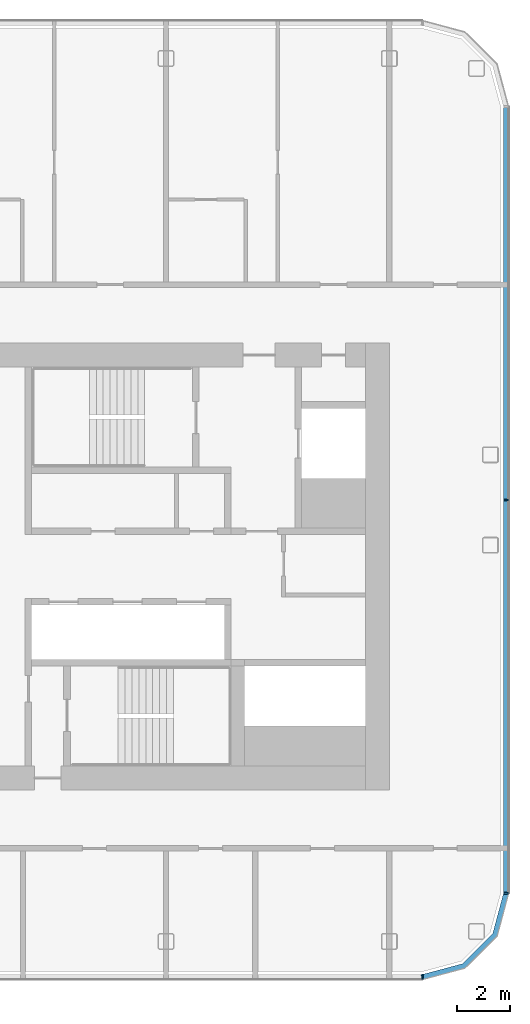
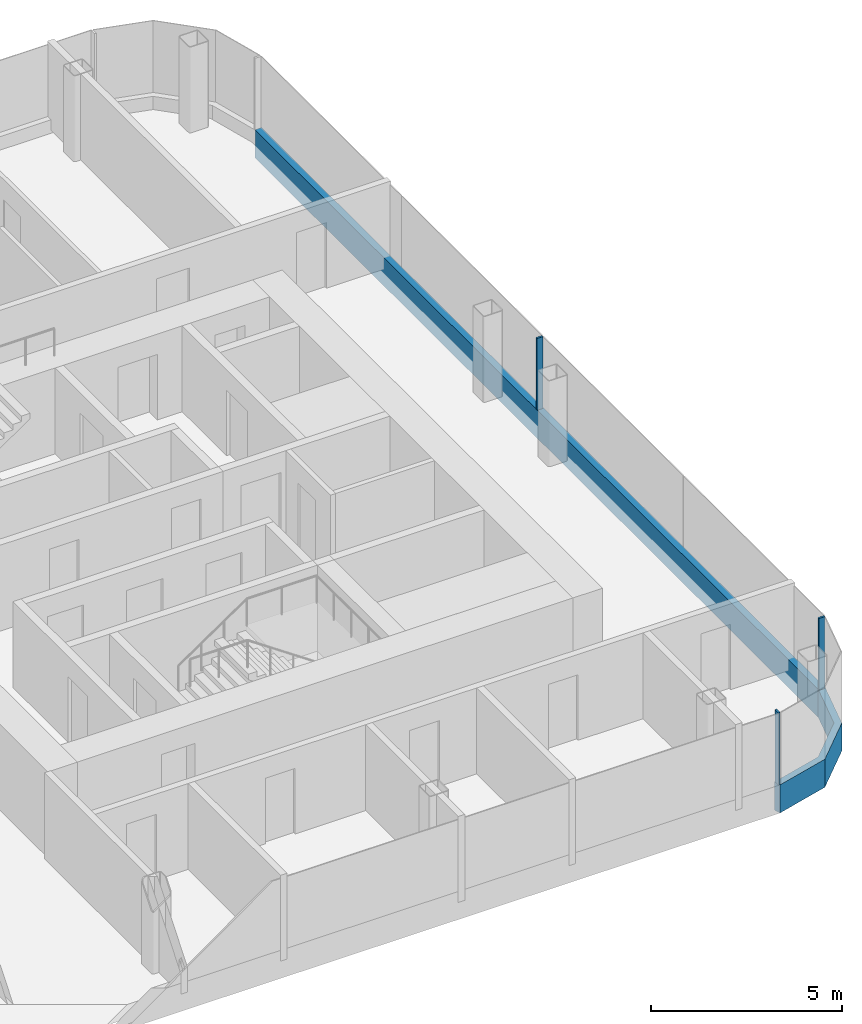
# One storey, part 10 of 26: 5 members, 3 elements without a shape of their own.
"""IFC4 building model written with IfcOpenShell, lengths in metres."""

from ifc_helpers import new_model, si_unit, direction, frame, origin, origin_2d, place, context, subcontext, project, spatial, polyline, rectangle, outline, extrude, material, layer, layer_set, material_profile, profile_set, type_object, element, aggregate, save


model = new_model("IFC4")

# Units and contexts
model_context = context("Model", 3, precision=1e-05, world=origin(), true_north=direction((0.0, 1.0)))
body_context = subcontext(model_context, "Body", "Model", "MODEL_VIEW")
ifc_project = project(units=[si_unit("LENGTHUNIT", "METRE"), si_unit("AREAUNIT", "SQUARE_METRE"), si_unit("VOLUMEUNIT", "CUBIC_METRE"), si_unit("PLANEANGLEUNIT", "RADIAN"), si_unit("MASSUNIT", "GRAM", prefix="KILO")], contexts=[model_context])

# Site, building, storey
site_placement = place(None, origin())
site = spatial("IfcSite", under=ifc_project, at=site_placement, CompositionType="ELEMENT")
building_placement = place(site_placement, origin())
building = spatial("IfcBuilding", under=site, at=building_placement, Name="Hakoniwa Tower and Hamabe Station Hall", CompositionType="ELEMENT")
storey_placement = place(building_placement, frame((0.0, 0.0, 199.39990234375)))
storey = spatial("IfcBuildingStorey", under=building, at=storey_placement, Name="L56", CompositionType="ELEMENT", Elevation=199.39990234375)

# Curtain wall, member
ifc_material_1 = material(Name="Dark low-e laminated glass", Category="glass")
ifc_layer = layer(ifc_material_1, 0.199951171875)
ifc_layer_set = layer_set([ifc_layer], Name="CW-1 UNITISED GUEST")
curtain_wall_type = type_object("IfcCurtainWallType", Name="CW-1 UNITISED GUEST", PredefinedType="NOTDEFINED", material=ifc_layer_set)
curtain_wall_1_placement = place(storey_placement, origin())
curtain_wall_1 = element("IfcCurtainWall", 1, at=curtain_wall_1_placement, inside=storey, type_object=curtain_wall_type, Name="CW-1 curtain wall", PredefinedType="NOTDEFINED")
ifc_material_2 = material(Name="Aluminium 6063-T5 black anodised", Category="aluminium")
ifc_material_profile_1 = material_profile(ifc_material_2, rectangle(XDim=0.199951171875, YDim=0.89990234375, at=origin_2d()), Name="CW SLAB-EDGE BAND 900X200")
ifc_profile_set_1 = profile_set([ifc_material_profile_1], Name="Aluminium 6063-T5 black anodised")
member_type_1 = type_object("IfcMemberType", Name="CW SLAB-EDGE BAND 900X200", PredefinedType="USERDEFINED", material=ifc_profile_set_1)
member_1_placement = place(storey_placement, frame((38.0, -12.28955078125, -0.099853515625), z_axis=(0.0, 1.0, 0.0), x_axis=(-1.0, 0.0, 0.0)))
member_1 = element("IfcMember", 2, at=member_1_placement, type_object=member_type_1, Name="CW-1 transom", ObjectType="TRANSOM", PredefinedType="USERDEFINED", context=body_context, shape_type="SweptSolid", body=[
    extrude(rectangle(XDim=0.199951171875, YDim=0.89990234375, at=origin_2d()), origin(), (0.0, 0.0, 1.0), 29.5791015625),
])

curtain_wall_2_placement = place(storey_placement, origin())
curtain_wall_2 = element("IfcCurtainWall", 3, at=curtain_wall_2_placement, inside=storey, type_object=curtain_wall_type, Name="CW-1 curtain wall", PredefinedType="NOTDEFINED")
member_2_placement = place(storey_placement, frame((0.0, 0.0, -0.5498046875)))
member_2 = element("IfcMember", 4, at=member_2_placement, type_object=member_type_1, Name="CW-1 transom", ObjectType="TRANSOM", PredefinedType="USERDEFINED", context=body_context, shape_type="SweptSolid", body=[
    extrude(outline(polyline([(34.839599609375, -15.550048828125), (36.455322265625, -15.116943359375), (37.6669921875, -13.9052734375), (38.10009765625, -12.28955078125), (37.90673828125, -12.23779296875), (37.48779296875, -13.8017578125), (36.351806640625, -14.937744140625), (34.787841796875, -15.35693359375), (34.839599609375, -15.550048828125)])), origin(), (0.0, 0.0, 1.0), 0.89990234375),
])
aggregate(curtain_wall_2, [member_2])

# Member
ifc_material_3 = material(Name="Aluminium 6063-T5 black anodised", Category="aluminium")
ifc_material_profile_2 = material_profile(ifc_material_3, rectangle(XDim=0.06005859375, YDim=0.179931640625, at=origin_2d()), Name="CW-1 MULLION 60X180")
ifc_profile_set_2 = profile_set([ifc_material_profile_2], Name="Aluminium 6063-T5 black anodised")
member_type_2 = type_object("IfcMemberType", Name="CW-1 MULLION 60X180", PredefinedType="MULLION", material=ifc_profile_set_2)
member_3_placement = place(storey_placement, frame((37.98193359375, -12.28955078125, 0.35009765625), z_axis=(0.0, 0.0, 1.0), x_axis=(0.0, 1.0, 0.0)))
member_3 = element("IfcMember", 5, at=member_3_placement, type_object=member_type_2, Name="CW-1 mullion", PredefinedType="MULLION", context=body_context, shape_type="SweptSolid", body=[
    extrude(rectangle(XDim=0.06005859375, YDim=0.179931640625, at=origin_2d()), origin(), (0.0, 0.0, 1.0), 2.300048828125),
])

member_4_placement = place(storey_placement, frame((37.98193359375, 2.5, 0.35009765625), z_axis=(0.0, 0.0, 1.0), x_axis=(0.0, 1.0, 0.0)))
member_4 = element("IfcMember", 6, at=member_4_placement, type_object=member_type_2, Name="CW-1 mullion", PredefinedType="MULLION", context=body_context, shape_type="SweptSolid", body=[
    extrude(rectangle(XDim=0.06005859375, YDim=0.179931640625, at=origin_2d()), origin(), (0.0, 0.0, 1.0), 2.300048828125),
])

aggregate(curtain_wall_1, [member_3, member_4, member_1])

# Curtain wall, member
curtain_wall_3_placement = place(storey_placement, origin())
curtain_wall_3 = element("IfcCurtainWall", 7, at=curtain_wall_3_placement, inside=storey, type_object=curtain_wall_type, Name="CW-1 curtain wall", PredefinedType="NOTDEFINED")
member_5_placement = place(storey_placement, frame((34.839599609375, -15.431884765625, 0.35009765625), z_axis=(0.0, 0.0, 1.0), x_axis=(1.0, 0.0, 0.0)))
member_5 = element("IfcMember", 8, at=member_5_placement, type_object=member_type_2, Name="CW-1 mullion", PredefinedType="MULLION", context=body_context, shape_type="SweptSolid", body=[
    extrude(rectangle(XDim=0.06005859375, YDim=0.179931640625, at=origin_2d()), origin(), (0.0, 0.0, 1.0), 2.300048828125),
])
aggregate(curtain_wall_3, [member_5])

save(model, "model.ifc")
